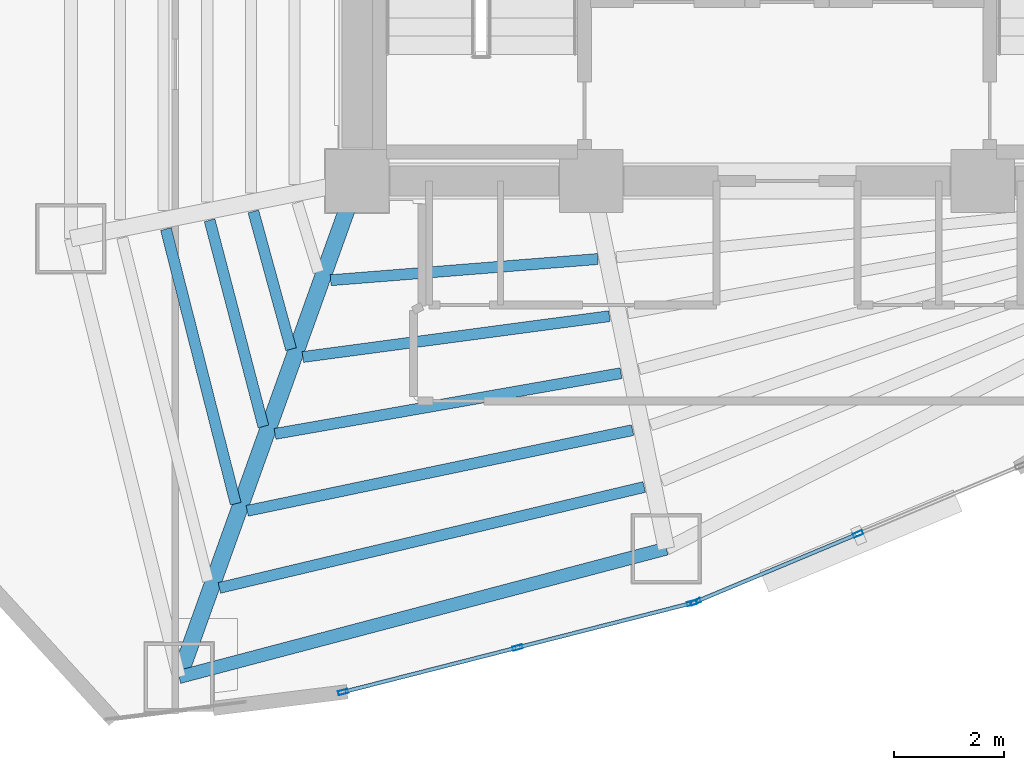
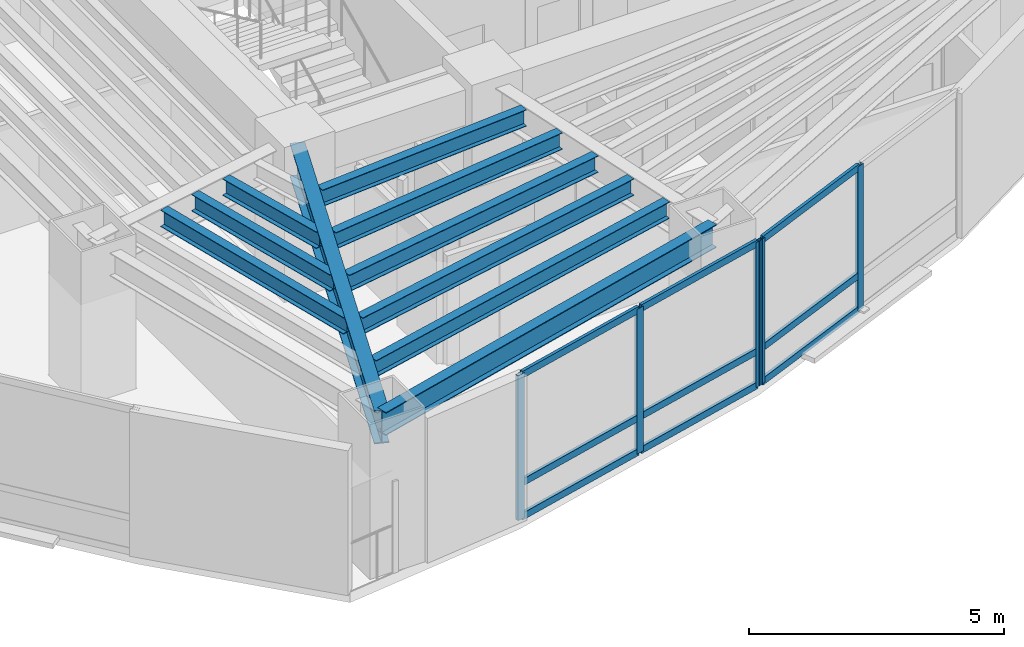
# One storey, part 5 of 23: 14 members, 10 beams, 2 elements without a shape of their own.
"""IFC4 building model written with IfcOpenShell, lengths in metres."""

from ifc_helpers import new_model, si_unit, direction, frame, origin, origin_2d, place, context, subcontext, project, spatial, hollow_rectangle, i_section, extrude, material, layer, layer_set, material_profile, profile_set, type_object, element, aggregate, save


model = new_model("IFC4")

# Units and contexts
model_context = context("Model", 3, precision=1e-05, world=origin(), true_north=direction((0.0, 1.0)))
body_context = subcontext(model_context, "Body", "Model", "MODEL_VIEW")
ifc_project = project(units=[si_unit("LENGTHUNIT", "METRE"), si_unit("AREAUNIT", "SQUARE_METRE"), si_unit("VOLUMEUNIT", "CUBIC_METRE"), si_unit("PLANEANGLEUNIT", "RADIAN"), si_unit("MASSUNIT", "GRAM", prefix="KILO")], contexts=[model_context])

# Site, building, storey
site_placement = place(None, origin())
site = spatial("IfcSite", under=ifc_project, at=site_placement, CompositionType="ELEMENT")
building_placement = place(site_placement, origin())
building = spatial("IfcBuilding", under=site, at=building_placement, Name="Menara Vayukalpa", CompositionType="ELEMENT")
storey_placement = place(building_placement, frame((0.0, 0.0, 111.419921875)))
storey = spatial("IfcBuildingStorey", under=building, at=storey_placement, Name="L27", CompositionType="ELEMENT", Elevation=111.419921875)

# Beams
ifc_material_1 = material(Name="Steel S355", Category="steel")
ifc_material_profile_1 = material_profile(ifc_material_1, i_section(OverallWidth=0.300048828125, OverallDepth=0.800048828125, WebThickness=0.013916015625, FlangeThickness=0.02587890625, at=origin_2d()), Name="WF 800x300x14x26")
ifc_profile_set_1 = profile_set([ifc_material_profile_1], Name="Steel S355")
beam_type_1 = type_object("IfcBeamType", Name="BM-PG3", PredefinedType="BEAM", material=ifc_profile_set_1)
beam_1_placement = place(storey_placement, frame((17.715576171875, 16.964599609375, 3.070068359375), z_axis=(-0.337975542909, -0.941154892882, 0.0), x_axis=(0.941154892882, -0.337975542909, 0.0)))
element("IfcBeam", 1, at=beam_1_placement, inside=storey, type_object=beam_type_1, Name="L27 Primary Radial Girder RG07", PredefinedType="BEAM", context=body_context, shape_type="SweptSolid", body=[
    extrude(i_section(OverallWidth=0.300048828125, OverallDepth=0.800048828125, WebThickness=0.013916015625, FlangeThickness=0.02587890625, at=origin_2d()), origin(), (0.0, 0.0, 1.0), 9.309814453125),
])
ifc_material_2 = material(Name="Steel S355", Category="steel")
ifc_material_profile_2 = material_profile(ifc_material_2, i_section(OverallWidth=0.199951171875, OverallDepth=0.39990234375, WebThickness=0.008056640625, FlangeThickness=0.012939453125, at=origin_2d()), Name="WF 400x200x8x13")
ifc_profile_set_2 = profile_set([ifc_material_profile_2], Name="Steel S355")
beam_type_2 = type_object("IfcBeamType", Name="BM-SJ2", PredefinedType="JOIST", material=ifc_profile_set_2)
beam_2_placement = place(storey_placement, frame((15.917236328125, 16.64794921875, 3.27001953125), z_axis=(0.263922858843, -0.964543790908, 0.0), x_axis=(0.964543790908, 0.263922858843, 0.0)))
element("IfcBeam", 2, at=beam_2_placement, inside=storey, type_object=beam_type_2, Name="L27 Secondary Floor Joist SJ06-2", PredefinedType="JOIST", context=body_context, shape_type="SweptSolid", body=[
    extrude(i_section(OverallWidth=0.199951171875, OverallDepth=0.39990234375, WebThickness=0.008056640625, FlangeThickness=0.012939453125, at=origin_2d()), origin(), (0.0, 0.0, 1.0), 2.590087890625),
])
beam_3_placement = place(storey_placement, frame((15.123779296875, 16.488037109375, 3.27001953125), z_axis=(0.252406469257, -0.967621296933, 0.0), x_axis=(0.967621296933, 0.252406469257, 0.0)))
element("IfcBeam", 3, at=beam_3_placement, inside=storey, type_object=beam_type_2, Name="L27 Secondary Floor Joist SJ06-3", PredefinedType="JOIST", context=body_context, shape_type="SweptSolid", body=[
    extrude(i_section(OverallWidth=0.199951171875, OverallDepth=0.39990234375, WebThickness=0.008056640625, FlangeThickness=0.012939453125, at=origin_2d()), origin(), (0.0, 0.0, 1.0), 3.865234375),
])
beam_4_placement = place(storey_placement, frame((14.330810546875, 16.328369140625, 3.27001953125), z_axis=(0.246311066692, -0.969190826631, 0.0), x_axis=(0.969190826631, 0.246311066692, 0.0)))
element("IfcBeam", 4, at=beam_4_placement, inside=storey, type_object=beam_type_2, Name="L27 Secondary Floor Joist SJ06-4", PredefinedType="JOIST", context=body_context, shape_type="SweptSolid", body=[
    extrude(i_section(OverallWidth=0.199951171875, OverallDepth=0.39990234375, WebThickness=0.008056640625, FlangeThickness=0.012939453125, at=origin_2d()), origin(), (0.0, 0.0, 1.0), 5.140380859375),
])
beam_5_placement = place(storey_placement, frame((17.318603515625, 15.40087890625, 3.27001953125), z_axis=(0.996868534468, 0.079076703187, 0.0), x_axis=(-0.079076703187, 0.996868534468, 0.0)))
element("IfcBeam", 5, at=beam_5_placement, inside=storey, type_object=beam_type_2, Name="L27 Secondary Floor Joist SJ07-1", PredefinedType="JOIST", context=body_context, shape_type="SweptSolid", body=[
    extrude(i_section(OverallWidth=0.199951171875, OverallDepth=0.39990234375, WebThickness=0.008056640625, FlangeThickness=0.012939453125, at=origin_2d()), origin(), (0.0, 0.0, 1.0), 4.862548828125),
])
beam_6_placement = place(storey_placement, frame((16.814208984375, 14.008056640625, 3.27001953125), z_axis=(0.991248408809, 0.132009817941, 0.0), x_axis=(-0.132009817941, 0.991248408809, 0.0)))
element("IfcBeam", 6, at=beam_6_placement, inside=storey, type_object=beam_type_2, Name="L27 Secondary Floor Joist SJ07-2", PredefinedType="JOIST", context=body_context, shape_type="SweptSolid", body=[
    extrude(i_section(OverallWidth=0.199951171875, OverallDepth=0.39990234375, WebThickness=0.008056640625, FlangeThickness=0.012939453125, at=origin_2d()), origin(), (0.0, 0.0, 1.0), 5.611083984375),
])
beam_7_placement = place(storey_placement, frame((16.309814453125, 12.613037109375, 3.27001953125), z_axis=(0.984953935883, 0.172817083033, 0.0), x_axis=(-0.172817083033, 0.984953935883, 0.0)))
element("IfcBeam", 7, at=beam_7_placement, inside=storey, type_object=beam_type_2, Name="L27 Secondary Floor Joist SJ07-3", PredefinedType="JOIST", context=body_context, shape_type="SweptSolid", body=[
    extrude(i_section(OverallWidth=0.199951171875, OverallDepth=0.39990234375, WebThickness=0.008056640625, FlangeThickness=0.012939453125, at=origin_2d()), origin(), (0.0, 0.0, 1.0), 6.372802734375),
])
beam_8_placement = place(storey_placement, frame((15.805419921875, 11.216552734375, 3.27001953125), z_axis=(0.978749487369, 0.205059603471, 0.0), x_axis=(-0.205059603471, 0.978749487369, 0.0)))
element("IfcBeam", 8, at=beam_8_placement, inside=storey, type_object=beam_type_2, Name="L27 Secondary Floor Joist SJ07-4", PredefinedType="JOIST", context=body_context, shape_type="SweptSolid", body=[
    extrude(i_section(OverallWidth=0.199951171875, OverallDepth=0.39990234375, WebThickness=0.008056640625, FlangeThickness=0.012939453125, at=origin_2d()), origin(), (0.0, 0.0, 1.0), 7.1435546875),
])
beam_9_placement = place(storey_placement, frame((15.30078125, 9.819091796875, 3.27001953125), z_axis=(0.97293603101, 0.231074619036, 0.0), x_axis=(-0.231074619036, 0.97293603101, 0.0)))
element("IfcBeam", 9, at=beam_9_placement, inside=storey, type_object=beam_type_2, Name="L27 Secondary Floor Joist SJ07-5", PredefinedType="JOIST", context=body_context, shape_type="SweptSolid", body=[
    extrude(i_section(OverallWidth=0.199951171875, OverallDepth=0.39990234375, WebThickness=0.008056640625, FlangeThickness=0.012939453125, at=origin_2d()), origin(), (0.0, 0.0, 1.0), 7.9208984375),
])
ifc_material_3 = material(Name="Steel S355", Category="steel")
ifc_material_profile_3 = material_profile(ifc_material_3, i_section(OverallWidth=0.239990234375, OverallDepth=0.550048828125, WebThickness=0.010986328125, FlangeThickness=0.01904296875, at=origin_2d()), Name="WF 550x240x11x19")
ifc_profile_set_3 = profile_set([ifc_material_profile_3], Name="Steel S355")
beam_type_3 = type_object("IfcBeamType", Name="BM-SP2", PredefinedType="SPANDREL", material=ifc_profile_set_3)
beam_10_placement = place(storey_placement, frame((14.569091796875, 8.20263671875, 3.195068359375), z_axis=(0.966966857313, 0.254902131921, 0.0), x_axis=(-0.254902131921, 0.966966857313, 0.0)))
element("IfcBeam", 10, at=beam_10_placement, inside=storey, type_object=beam_type_3, Name="L27 Perimeter Spandrel Beam SP07", PredefinedType="SPANDREL", context=body_context, shape_type="SweptSolid", body=[
    extrude(i_section(OverallWidth=0.239990234375, OverallDepth=0.550048828125, WebThickness=0.010986328125, FlangeThickness=0.01904296875, at=origin_2d()), origin(), (0.0, 0.0, 1.0), 9.14111328125),
])

# Curtain wall, members
ifc_material_4 = material(Name="Anodised Terracotta Aluminium Alloy 6063-T6", Category="masonry")
ifc_layer = layer(ifc_material_4, 0.179931640625)
ifc_layer_set = layer_set([ifc_layer], Name="Anodised Terracotta Aluminium Alloy 6063-T6")
curtain_wall_type = type_object("IfcCurtainWallType", Name="CW-CW4", PredefinedType="USERDEFINED", material=ifc_layer_set)
curtain_wall_1_placement = place(storey_placement, origin())
curtain_wall_1 = element("IfcCurtainWall", 11, at=curtain_wall_1_placement, inside=storey, type_object=curtain_wall_type, Name="L27 Sky Bar Cantilever Glazed Curtain Wall CW4 16", ObjectType="UNITISED", PredefinedType="USERDEFINED")
ifc_material_5 = material(Name="Anodised Terracotta Aluminium Alloy 6063-T6", Category="masonry")
ifc_material_profile_4 = material_profile(ifc_material_5, hollow_rectangle(XDim=0.074951171875, YDim=0.179931640625, WallThickness=0.00390625, at=origin_2d()), Name="ALU 75x180x4")
ifc_profile_set_4 = profile_set([ifc_material_profile_4], Name="Anodised Terracotta Aluminium Alloy 6063-T6")
member_type_1 = type_object("IfcMemberType", Name="CWM-CW4", PredefinedType="MULLION", material=ifc_profile_set_4)
member_1_placement = place(storey_placement, frame((17.546630859375, 7.93017578125, 0.0), z_axis=(0.0, 0.0, 1.0), x_axis=(-0.247130597017, 0.968982181476, 0.0)))
member_1 = element("IfcMember", 12, at=member_1_placement, type_object=member_type_1, Name="CW4 mullion 1", PredefinedType="MULLION", context=body_context, shape_type="SweptSolid", body=[
    extrude(hollow_rectangle(XDim=0.074951171875, YDim=0.179931640625, WallThickness=0.00390625, at=origin_2d()), origin(), (0.0, 0.0, 1.0), 3.469970703125),
])
member_2_placement = place(storey_placement, frame((20.708984375, 8.736572265625, 0.0), z_axis=(0.0, 0.0, 1.0), x_axis=(-0.247130597017, 0.968982181476, 0.0)))
member_2 = element("IfcMember", 13, at=member_2_placement, type_object=member_type_1, Name="CW4 mullion 2", PredefinedType="MULLION", context=body_context, shape_type="SweptSolid", body=[
    extrude(hollow_rectangle(XDim=0.074951171875, YDim=0.179931640625, WallThickness=0.00390625, at=origin_2d()), origin(), (0.0, 0.0, 1.0), 3.469970703125),
])
member_3_placement = place(storey_placement, frame((23.87109375, 9.543212890625, 0.0), z_axis=(0.0, 0.0, 1.0), x_axis=(-0.247130597017, 0.968982181476, 0.0)))
member_3 = element("IfcMember", 14, at=member_3_placement, type_object=member_type_1, Name="CW4 mullion 3", PredefinedType="MULLION", context=body_context, shape_type="SweptSolid", body=[
    extrude(hollow_rectangle(XDim=0.074951171875, YDim=0.179931640625, WallThickness=0.00390625, at=origin_2d()), origin(), (0.0, 0.0, 1.0), 3.469970703125),
])

curtain_wall_2_placement = place(storey_placement, origin())
curtain_wall_2 = element("IfcCurtainWall", 15, at=curtain_wall_2_placement, inside=storey, type_object=curtain_wall_type, Name="L27 Sky Bar Cantilever Glazed Curtain Wall CW4 17", ObjectType="UNITISED", PredefinedType="USERDEFINED")
member_4_placement = place(storey_placement, frame((23.94189453125, 9.56689453125, 0.0), z_axis=(0.0, 0.0, 1.0), x_axis=(-0.38589358437, 0.922543300632, 0.0)))
member_4 = element("IfcMember", 16, at=member_4_placement, type_object=member_type_1, Name="CW4 mullion 1", PredefinedType="MULLION", context=body_context, shape_type="SweptSolid", body=[
    extrude(hollow_rectangle(XDim=0.074951171875, YDim=0.179931640625, WallThickness=0.00390625, at=origin_2d()), origin(), (0.0, 0.0, 1.0), 3.469970703125),
])
member_5_placement = place(storey_placement, frame((26.88671875, 10.798583984375, 0.0), z_axis=(0.0, 0.0, 1.0), x_axis=(-0.38589358437, 0.922543300632, 0.0)))
member_5 = element("IfcMember", 17, at=member_5_placement, type_object=member_type_1, Name="CW4 mullion 2", PredefinedType="MULLION", context=body_context, shape_type="SweptSolid", body=[
    extrude(hollow_rectangle(XDim=0.074951171875, YDim=0.179931640625, WallThickness=0.00390625, at=origin_2d()), origin(), (0.0, 0.0, 1.0), 3.469970703125),
])

# Member
ifc_material_6 = material(Name="Anodised Terracotta Aluminium Alloy 6063-T6", Category="masonry")
ifc_material_profile_5 = material_profile(ifc_material_6, hollow_rectangle(XDim=0.070068359375, YDim=0.1650390625, WallThickness=0.00390625, at=origin_2d()), Name="ALU 70x165x4")
ifc_profile_set_5 = profile_set([ifc_material_profile_5], Name="Anodised Terracotta Aluminium Alloy 6063-T6")
member_type_2 = type_object("IfcMemberType", Name="CWT-CW4", PredefinedType="USERDEFINED", material=ifc_profile_set_5)
member_6_placement = place(storey_placement, frame((17.5830078125, 7.939453125, 0.03515625), z_axis=(0.968992251475, 0.247091109878, 0.0), x_axis=(-0.247091109878, 0.968992251475, 0.0)))
member_6 = element("IfcMember", 18, at=member_6_placement, type_object=member_type_2, Name="CW4 transom 1.1", ObjectType="TRANSOM", PredefinedType="USERDEFINED", context=body_context, shape_type="SweptSolid", body=[
    extrude(hollow_rectangle(XDim=0.070068359375, YDim=0.1650390625, WallThickness=0.00390625, at=origin_2d()), origin(), (0.0, 0.0, 1.0), 3.1884765625),
])

member_7_placement = place(storey_placement, frame((17.5830078125, 7.939453125, 0.85009765625), z_axis=(0.968992251475, 0.247091109878, 0.0), x_axis=(-0.247091109878, 0.968992251475, 0.0)))
member_7 = element("IfcMember", 19, at=member_7_placement, type_object=member_type_2, Name="CW4 transom 1.2", ObjectType="TRANSOM", PredefinedType="USERDEFINED", context=body_context, shape_type="SweptSolid", body=[
    extrude(hollow_rectangle(XDim=0.070068359375, YDim=0.1650390625, WallThickness=0.00390625, at=origin_2d()), origin(), (0.0, 0.0, 1.0), 3.1884765625),
])

member_8_placement = place(storey_placement, frame((17.5830078125, 7.939453125, 3.43505859375), z_axis=(0.968992251475, 0.247091109878, 0.0), x_axis=(-0.247091109878, 0.968992251475, 0.0)))
member_8 = element("IfcMember", 20, at=member_8_placement, type_object=member_type_2, Name="CW4 transom 1.3", ObjectType="TRANSOM", PredefinedType="USERDEFINED", context=body_context, shape_type="SweptSolid", body=[
    extrude(hollow_rectangle(XDim=0.070068359375, YDim=0.1650390625, WallThickness=0.00390625, at=origin_2d()), origin(), (0.0, 0.0, 1.0), 3.1884765625),
])

member_9_placement = place(storey_placement, frame((20.7451171875, 8.745849609375, 0.03515625), z_axis=(0.968973916069, 0.24716300285, 0.0), x_axis=(-0.24716300285, 0.968973916069, 0.0)))
member_9 = element("IfcMember", 21, at=member_9_placement, type_object=member_type_2, Name="CW4 transom 2.1", ObjectType="TRANSOM", PredefinedType="USERDEFINED", context=body_context, shape_type="SweptSolid", body=[
    extrude(hollow_rectangle(XDim=0.070068359375, YDim=0.1650390625, WallThickness=0.00390625, at=origin_2d()), origin(), (0.0, 0.0, 1.0), 3.1884765625),
])

member_10_placement = place(storey_placement, frame((20.7451171875, 8.745849609375, 0.85009765625), z_axis=(0.968973916069, 0.24716300285, 0.0), x_axis=(-0.24716300285, 0.968973916069, 0.0)))
member_10 = element("IfcMember", 22, at=member_10_placement, type_object=member_type_2, Name="CW4 transom 2.2", ObjectType="TRANSOM", PredefinedType="USERDEFINED", context=body_context, shape_type="SweptSolid", body=[
    extrude(hollow_rectangle(XDim=0.070068359375, YDim=0.1650390625, WallThickness=0.00390625, at=origin_2d()), origin(), (0.0, 0.0, 1.0), 3.1884765625),
])

member_11_placement = place(storey_placement, frame((20.7451171875, 8.745849609375, 3.43505859375), z_axis=(0.968973916069, 0.24716300285, 0.0), x_axis=(-0.24716300285, 0.968973916069, 0.0)))
member_11 = element("IfcMember", 23, at=member_11_placement, type_object=member_type_2, Name="CW4 transom 2.3", ObjectType="TRANSOM", PredefinedType="USERDEFINED", context=body_context, shape_type="SweptSolid", body=[
    extrude(hollow_rectangle(XDim=0.070068359375, YDim=0.1650390625, WallThickness=0.00390625, at=origin_2d()), origin(), (0.0, 0.0, 1.0), 3.1884765625),
])

aggregate(curtain_wall_1, [member_1, member_2, member_3, member_6, member_7, member_8, member_9, member_10, member_11])

member_12_placement = place(storey_placement, frame((23.9765625, 9.581298828125, 0.03515625), z_axis=(0.922533742775, 0.385916433236, 0.0), x_axis=(-0.385916433236, 0.922533742775, 0.0)))
member_12 = element("IfcMember", 24, at=member_12_placement, type_object=member_type_2, Name="CW4 transom 1.1", ObjectType="TRANSOM", PredefinedType="USERDEFINED", context=body_context, shape_type="SweptSolid", body=[
    extrude(hollow_rectangle(XDim=0.070068359375, YDim=0.1650390625, WallThickness=0.00390625, at=origin_2d()), origin(), (0.0, 0.0, 1.0), 3.116943359375),
])

member_13_placement = place(storey_placement, frame((23.9765625, 9.581298828125, 0.85009765625), z_axis=(0.922533742775, 0.385916433236, 0.0), x_axis=(-0.385916433236, 0.922533742775, 0.0)))
member_13 = element("IfcMember", 25, at=member_13_placement, type_object=member_type_2, Name="CW4 transom 1.2", ObjectType="TRANSOM", PredefinedType="USERDEFINED", context=body_context, shape_type="SweptSolid", body=[
    extrude(hollow_rectangle(XDim=0.070068359375, YDim=0.1650390625, WallThickness=0.00390625, at=origin_2d()), origin(), (0.0, 0.0, 1.0), 3.116943359375),
])

member_14_placement = place(storey_placement, frame((23.9765625, 9.581298828125, 3.43505859375), z_axis=(0.922533742775, 0.385916433236, 0.0), x_axis=(-0.385916433236, 0.922533742775, 0.0)))
member_14 = element("IfcMember", 26, at=member_14_placement, type_object=member_type_2, Name="CW4 transom 1.3", ObjectType="TRANSOM", PredefinedType="USERDEFINED", context=body_context, shape_type="SweptSolid", body=[
    extrude(hollow_rectangle(XDim=0.070068359375, YDim=0.1650390625, WallThickness=0.00390625, at=origin_2d()), origin(), (0.0, 0.0, 1.0), 3.116943359375),
])

aggregate(curtain_wall_2, [member_4, member_5, member_12, member_13, member_14])

save(model, "model.ifc")
